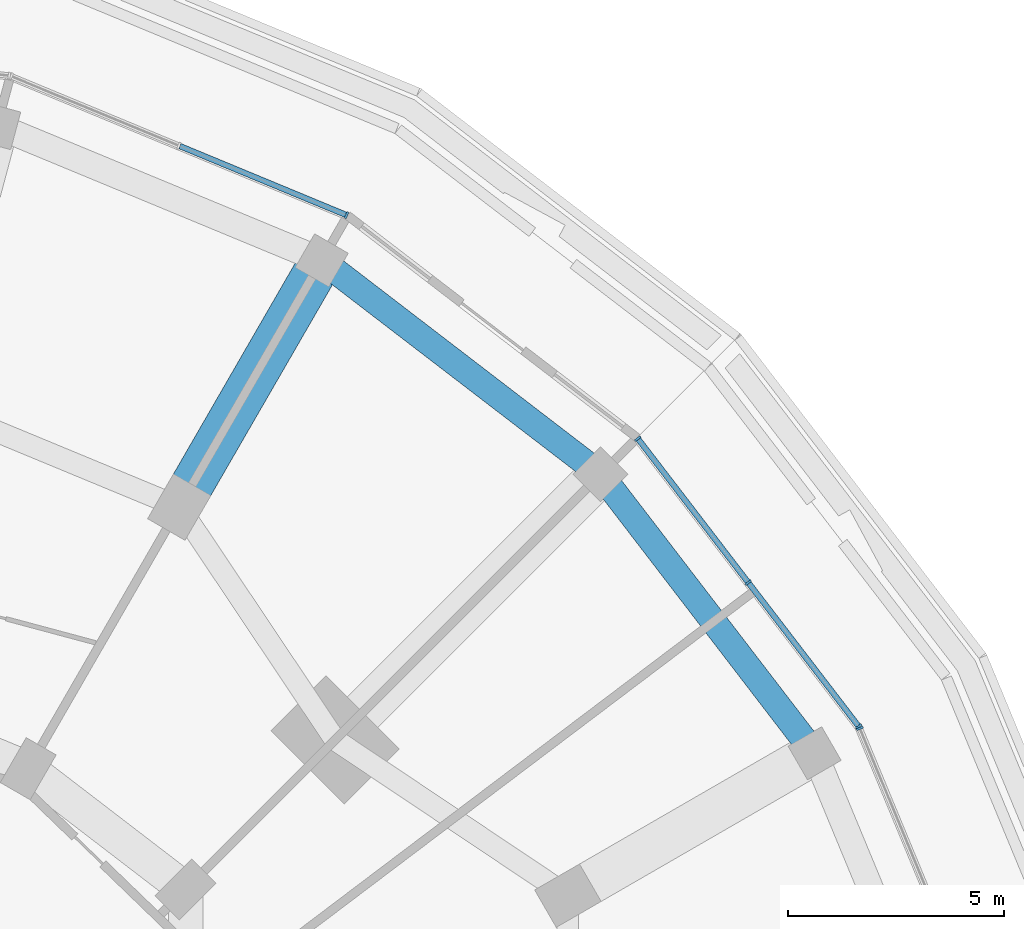
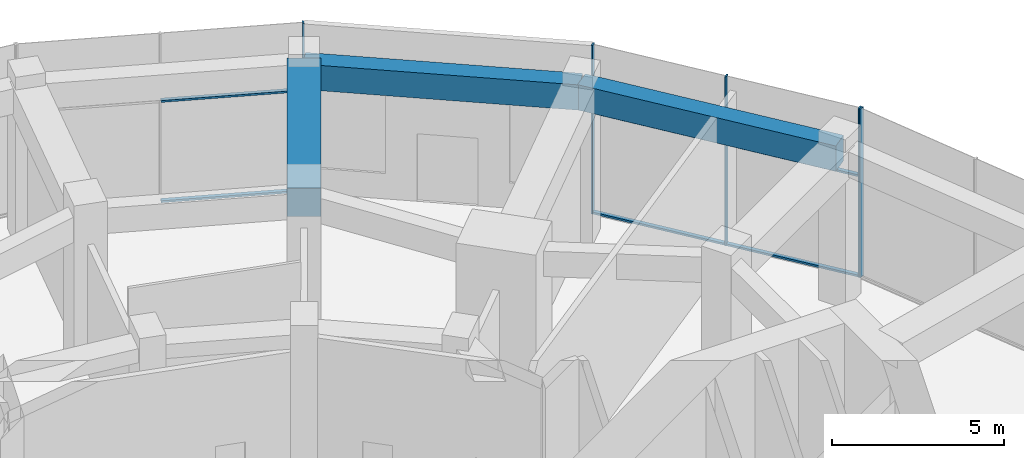
# One storey, part 10 of 23: 11 members, 3 beams, 3 elements without a shape of their own.
"""IFC4 building model written with IfcOpenShell, lengths in metres."""

from ifc_helpers import new_model, si_unit, direction, frame, origin, origin_2d, place, context, subcontext, project, spatial, rectangle, extrude, material, layer, layer_set, material_profile, profile_set, type_object, element, aggregate, save


model = new_model("IFC4")

# Units and contexts
model_context = context("Model", 3, precision=1e-05, world=origin(), true_north=direction((0.0, 1.0)))
body_context = subcontext(model_context, "Body", "Model", "MODEL_VIEW")
ifc_project = project(units=[si_unit("LENGTHUNIT", "METRE"), si_unit("AREAUNIT", "SQUARE_METRE"), si_unit("VOLUMEUNIT", "CUBIC_METRE"), si_unit("PLANEANGLEUNIT", "RADIAN"), si_unit("MASSUNIT", "GRAM", prefix="KILO")], contexts=[model_context])

# Site, building, storey
site_placement = place(None, origin())
site = spatial("IfcSite", under=ifc_project, at=site_placement, CompositionType="ELEMENT")
building_placement = place(site_placement, origin())
building = spatial("IfcBuilding", under=site, at=building_placement, Name="Torre Brocal", CompositionType="ELEMENT")
storey_placement = place(building_placement, frame((0.0, 0.0, 17.800048828125)))
storey = spatial("IfcBuildingStorey", under=building, at=storey_placement, Name="L03", CompositionType="ELEMENT", Elevation=17.800048828125)

# Curtain wall, member
ifc_material_1 = material(Name="Aluminium and glass", Category="aluminium")
ifc_layer = layer(ifc_material_1, 0.199951171875)
ifc_layer_set = layer_set([ifc_layer], Name="Aluminium and glass")
curtain_wall_type = type_object("IfcCurtainWallType", Name="CW-6 CURTAIN WALL 6000 HIGH", PredefinedType="NOTDEFINED", material=ifc_layer_set)
curtain_wall_1_placement = place(storey_placement, origin())
curtain_wall_1 = element("IfcCurtainWall", 1, at=curtain_wall_1_placement, inside=storey, type_object=curtain_wall_type, Name="CW-6 RUN 2", PredefinedType="NOTDEFINED")
ifc_material_2 = material(Name="Aluminium, dark anodised", Category="aluminium")
ifc_material_profile_1 = material_profile(ifc_material_2, rectangle(XDim=0.159912109375, YDim=0.050048828125, at=origin_2d()), Name="CW-6 MULLION 50X160")
ifc_profile_set_1 = profile_set([ifc_material_profile_1], Name="Aluminium, dark anodised")
member_type_1 = type_object("IfcMemberType", Name="CW-6 MULLION 50X160", PredefinedType="MULLION", material=ifc_profile_set_1)
member_1_placement = place(storey_placement, frame((108.068115234375, 91.176513671875, 0.0), z_axis=(0.0, 0.0, 1.0), x_axis=(-0.923879532538, -0.382683432301, 0.0)))
member_1 = element("IfcMember", 2, at=member_1_placement, type_object=member_type_1, Name="CW6-2 mullion 3", PredefinedType="MULLION", context=body_context, shape_type="SweptSolid", body=[
    extrude(rectangle(XDim=0.159912109375, YDim=0.050048828125, at=origin_2d()), origin(), (0.0, 0.0, 1.0), 6.0),
])
aggregate(curtain_wall_1, [member_1])

# Curtain wall, members
curtain_wall_2_placement = place(storey_placement, origin())
curtain_wall_2 = element("IfcCurtainWall", 3, at=curtain_wall_2_placement, inside=storey, type_object=curtain_wall_type, Name="CW-6 RUN 3", PredefinedType="NOTDEFINED")
member_2_placement = place(storey_placement, frame((108.043212890625, 91.219482421875, 0.0), z_axis=(0.0, 0.0, 1.0), x_axis=(-0.793353340291, -0.608761429009, 0.0)))
member_2 = element("IfcMember", 4, at=member_2_placement, type_object=member_type_1, Name="CW6-2 mullion 1", PredefinedType="MULLION", context=body_context, shape_type="SweptSolid", body=[
    extrude(rectangle(XDim=0.159912109375, YDim=0.050048828125, at=origin_2d()), origin(), (0.0, 0.0, 1.0), 6.0),
])
member_3_placement = place(storey_placement, frame((105.484130859375, 94.5546875, 0.0), z_axis=(0.0, 0.0, 1.0), x_axis=(-0.793353340291, -0.608761429009, 0.0)))
member_3 = element("IfcMember", 5, at=member_3_placement, type_object=member_type_1, Name="CW6-2 mullion 2", PredefinedType="MULLION", context=body_context, shape_type="SweptSolid", body=[
    extrude(rectangle(XDim=0.159912109375, YDim=0.050048828125, at=origin_2d()), origin(), (0.0, 0.0, 1.0), 6.0),
])
member_4_placement = place(storey_placement, frame((102.9248046875, 97.889892578125, 0.0), z_axis=(0.0, 0.0, 1.0), x_axis=(-0.793353340291, -0.608761429009, 0.0)))
member_4 = element("IfcMember", 6, at=member_4_placement, type_object=member_type_1, Name="CW6-2 mullion 3", PredefinedType="MULLION", context=body_context, shape_type="SweptSolid", body=[
    extrude(rectangle(XDim=0.159912109375, YDim=0.050048828125, at=origin_2d()), origin(), (0.0, 0.0, 1.0), 6.0),
])

# Curtain wall, member
curtain_wall_3_placement = place(storey_placement, origin())
curtain_wall_3 = element("IfcCurtainWall", 7, at=curtain_wall_3_placement, inside=storey, type_object=curtain_wall_type, Name="CW-6 RUN 5", PredefinedType="NOTDEFINED")
member_5_placement = place(storey_placement, frame((96.176513671875, 103.068115234375, 0.0), z_axis=(0.0, 0.0, 1.0), x_axis=(-0.382683432301, -0.923879532538, 0.0)))
member_5 = element("IfcMember", 8, at=member_5_placement, type_object=member_type_1, Name="CW6-2 mullion 1", PredefinedType="MULLION", context=body_context, shape_type="SweptSolid", body=[
    extrude(rectangle(XDim=0.159912109375, YDim=0.050048828125, at=origin_2d()), origin(), (0.0, 0.0, 1.0), 6.0),
])

# Member
ifc_material_3 = material(Name="Aluminium, dark anodised", Category="aluminium")
ifc_material_profile_2 = material_profile(ifc_material_3, rectangle(XDim=0.1298828125, YDim=0.070068359375, at=origin_2d()), Name="CW-6 TRANSOM 130X70")
ifc_profile_set_2 = profile_set([ifc_material_profile_2], Name="Aluminium, dark anodised")
member_type_2 = type_object("IfcMemberType", Name="CW-6 TRANSOM 130X70", PredefinedType="USERDEFINED", material=ifc_profile_set_2)
member_6_placement = place(storey_placement, frame((108.028076171875, 91.2392578125, 0.034912109375), z_axis=(-0.608784376185, 0.793335731777, 0.0), x_axis=(-0.793335731777, -0.608784376185, 0.0)))
member_6 = element("IfcMember", 9, at=member_6_placement, type_object=member_type_2, Name="CW6-2 transom 1.1", ObjectType="TRANSOM", PredefinedType="USERDEFINED", context=body_context, shape_type="SweptSolid", body=[
    extrude(rectangle(XDim=0.1298828125, YDim=0.070068359375, at=origin_2d()), origin(), (0.0, 0.0, 1.0), 4.15380859375),
])

member_7_placement = place(storey_placement, frame((108.028076171875, 91.2392578125, 3.599853515625), z_axis=(-0.608784376185, 0.793335731777, 0.0), x_axis=(-0.793335731777, -0.608784376185, 0.0)))
member_7 = element("IfcMember", 10, at=member_7_placement, type_object=member_type_2, Name="CW6-2 transom 1.2", ObjectType="TRANSOM", PredefinedType="USERDEFINED", context=body_context, shape_type="SweptSolid", body=[
    extrude(rectangle(XDim=0.1298828125, YDim=0.070068359375, at=origin_2d()), origin(), (0.0, 0.0, 1.0), 4.15380859375),
])

member_8_placement = place(storey_placement, frame((105.46875, 94.574462890625, 0.034912109375), z_axis=(-0.608747382727, 0.793364118185, 0.0), x_axis=(-0.793364118185, -0.608747382727, 0.0)))
member_8 = element("IfcMember", 11, at=member_8_placement, type_object=member_type_2, Name="CW6-2 transom 2.1", ObjectType="TRANSOM", PredefinedType="USERDEFINED", context=body_context, shape_type="SweptSolid", body=[
    extrude(rectangle(XDim=0.1298828125, YDim=0.070068359375, at=origin_2d()), origin(), (0.0, 0.0, 1.0), 4.15380859375),
])

member_9_placement = place(storey_placement, frame((105.46875, 94.574462890625, 3.599853515625), z_axis=(-0.608747382727, 0.793364118185, 0.0), x_axis=(-0.793364118185, -0.608747382727, 0.0)))
member_9 = element("IfcMember", 12, at=member_9_placement, type_object=member_type_2, Name="CW6-2 transom 2.2", ObjectType="TRANSOM", PredefinedType="USERDEFINED", context=body_context, shape_type="SweptSolid", body=[
    extrude(rectangle(XDim=0.1298828125, YDim=0.070068359375, at=origin_2d()), origin(), (0.0, 0.0, 1.0), 4.15380859375),
])

aggregate(curtain_wall_2, [member_2, member_3, member_4, member_6, member_7, member_8, member_9])

member_10_placement = place(storey_placement, frame((96.1533203125, 103.07763671875, 0.034912109375), z_axis=(-0.923880010179, 0.38268227917, 0.0), x_axis=(-0.38268227917, -0.923880010179, 0.0)))
member_10 = element("IfcMember", 13, at=member_10_placement, type_object=member_type_2, Name="CW6-2 transom 1.1", ObjectType="TRANSOM", PredefinedType="USERDEFINED", context=body_context, shape_type="SweptSolid", body=[
    extrude(rectangle(XDim=0.1298828125, YDim=0.070068359375, at=origin_2d()), origin(), (0.0, 0.0, 1.0), 4.15380859375),
])

member_11_placement = place(storey_placement, frame((96.1533203125, 103.07763671875, 3.599853515625), z_axis=(-0.923880010179, 0.38268227917, 0.0), x_axis=(-0.38268227917, -0.923880010179, 0.0)))
member_11 = element("IfcMember", 14, at=member_11_placement, type_object=member_type_2, Name="CW6-2 transom 1.2", ObjectType="TRANSOM", PredefinedType="USERDEFINED", context=body_context, shape_type="SweptSolid", body=[
    extrude(rectangle(XDim=0.1298828125, YDim=0.070068359375, at=origin_2d()), origin(), (0.0, 0.0, 1.0), 4.15380859375),
])

aggregate(curtain_wall_3, [member_5, member_10, member_11])

# Beams
ifc_material_4 = material(Name="Concrete C50", Category="concrete")
ifc_material_profile_3 = material_profile(ifc_material_4, rectangle(XDim=0.60009765625, YDim=0.89990234375, at=origin_2d()), Name="RC 600X900")
ifc_profile_set_3 = profile_set([ifc_material_profile_3], Name="Concrete C50")
beam_type_1 = type_object("IfcBeamType", Name="RC BEAM 600X900 C50 TOP 5550", PredefinedType="BEAM", material=ifc_profile_set_3)
for number, where, z_axis, x_axis, name in (
    (15, (107.02001953125, 90.60009765625, 5.099853515625), (-0.608764383689, 0.793351073076, 0.0), (-0.793351073076, -0.608764383689, 0.0), "Beam BT-13"),
    (16, (102.061767578125, 97.061767578125, 5.099853515625), (-0.793351073076, 0.608764383689, 0.0), (-0.608764383689, -0.793351073076, 0.0), "Beam BT-13"),
):
    element("IfcBeam", number, at=place(storey_placement, frame(where, z_axis=z_axis, x_axis=x_axis)), inside=storey, type_object=beam_type_1, Name=name, PredefinedType="BEAM", context=body_context, shape_type="SweptSolid", body=[
        extrude(rectangle(XDim=0.60009765625, YDim=0.89990234375, at=origin_2d()), origin(), (0.0, 0.0, 1.0), 8.144775390625),
    ])
ifc_material_5 = material(Name="Concrete C60", Category="concrete")
ifc_material_profile_4 = material_profile(ifc_material_5, rectangle(XDim=1.0, YDim=1.0, at=origin_2d()), Name="RC 1000X1000")
ifc_profile_set_4 = profile_set([ifc_material_profile_4], Name="Concrete C60")
beam_type_2 = type_object("IfcBeamType", Name="RC TRANSFER GIRDER 1000X1000 C60 TOP 5550", PredefinedType="BEAM", material=ifc_profile_set_4)
beam_placement = place(storey_placement, frame((92.300048828125, 96.30419921875, 5.050048828125), z_axis=(0.500002094529, 0.866024194504, 0.0), x_axis=(-0.866024194504, 0.500002094529, 0.0)))
element("IfcBeam", 17, at=beam_placement, inside=storey, type_object=beam_type_2, Name="Beam TG-04", PredefinedType="BEAM", context=body_context, shape_type="SweptSolid", body=[
    extrude(rectangle(XDim=1.0, YDim=1.0, at=origin_2d()), origin(), (0.0, 0.0, 1.0), 6.60009765625),
])

save(model, "model.ifc")
